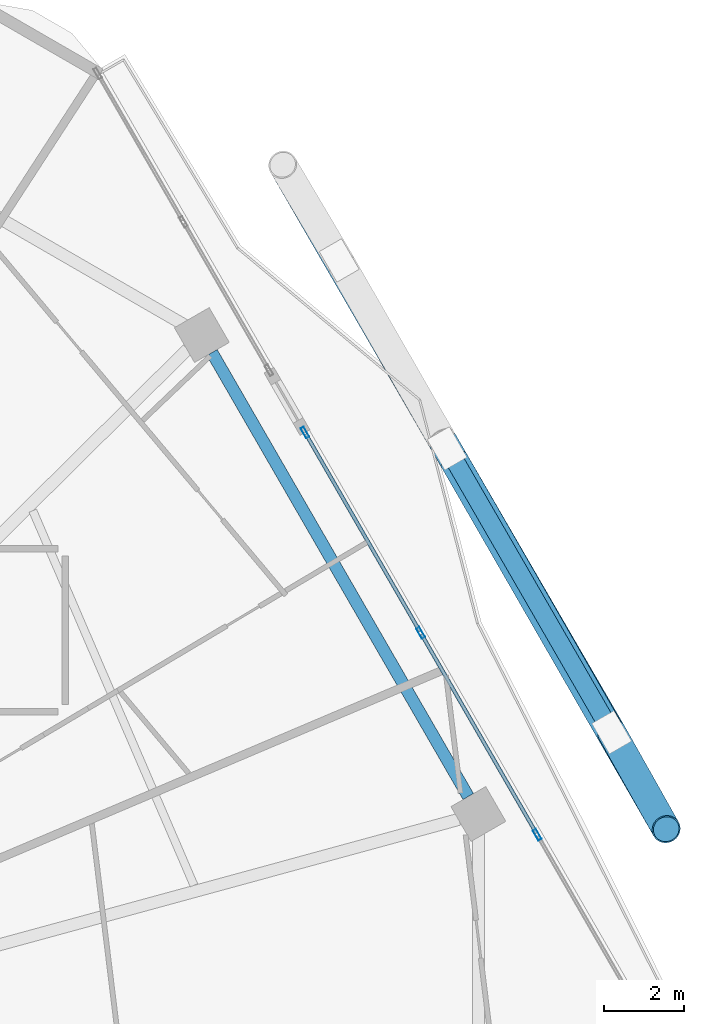
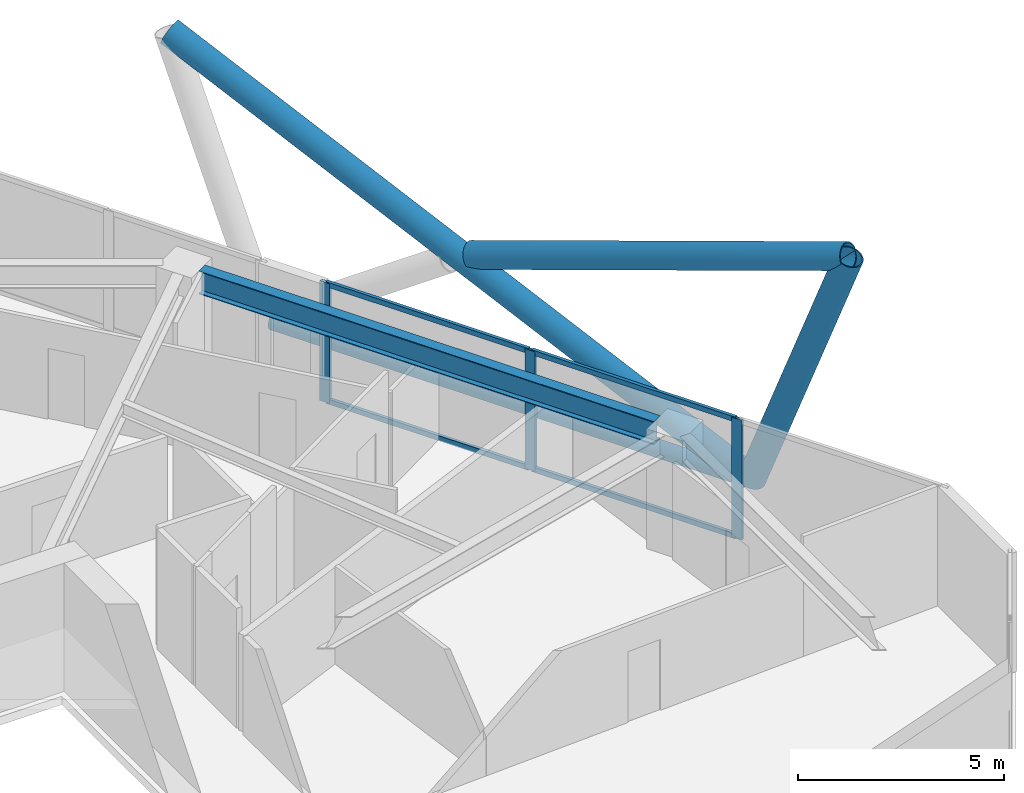
# One storey, part 16 of 28: 11 members, 1 beam, 1 element without a shape of its own.
"""IFC4 building model written with IfcOpenShell, lengths in metres."""

import ifcopenshell
import ifcopenshell.guid

model = None  # the IFC model being written
_history = None  # IfcOwnerHistory: only IFC2X3 demands one
_inside = {}  # id of a spatial element -> (the spatial element, [elements in it])
_under = {}  # id of a project, library or spatial element -> (it, [spatial elements below it])
_declared = {}  # id of a project -> (the project, [libraries it declares])
_typed = {}  # id of a type object -> (the type object, [elements of that type])
_made_of = {}  # id of a material, layer set ... -> (it, [elements and type objects made of it])


def new_model(schema):
    """Start an empty IFC model of exactly this schema.

    Asked for "IFC4X3", IfcOpenShell would pick the latest addendum, in which some entities
    have other attributes; the version numbers below select the first issue.
    IFC2X3 requires an IfcOwnerHistory on every rooted entity: one is made here for all.
    """
    global model, _history
    if schema == "IFC4X3":
        model = ifcopenshell.file(schema_version=(4, 3, 0, 0))
    else:
        model = ifcopenshell.file(schema=schema)
    _inside.clear()
    _under.clear()
    _declared.clear()
    _typed.clear()
    _made_of.clear()
    _history = None
    if model.schema == "IFC2X3":
        org = make("IfcOrganization", Name="unknown")
        user = make(
            "IfcPersonAndOrganization",
            ThePerson=make("IfcPerson", FamilyName="unknown"),
            TheOrganization=org,
        )
        app = make(
            "IfcApplication",
            ApplicationDeveloper=org,
            Version="unknown",
            ApplicationFullName="unknown",
            ApplicationIdentifier="unknown",
        )
        _history = make(
            "IfcOwnerHistory",
            OwningUser=user,
            OwningApplication=app,
            ChangeAction="ADDED",
            CreationDate=0,
        )
    return model


def make(cls, **values):
    """One entity of the class cls with the attributes given. An attribute that is None is left unset."""
    return model.create_entity(
        cls, **{name: value for name, value in values.items() if value is not None}
    )


def rooted(cls, **values):
    """An entity with a GlobalId (a new one), such as an element, a storey or a relation."""
    return make(cls, GlobalId=ifcopenshell.guid.new(), OwnerHistory=_history, **values)


def si_unit(unit_type, name, prefix=None):
    """IfcSIUnit, for example si_unit("LENGTHUNIT", "METRE", prefix="MILLI")."""
    return make("IfcSIUnit", UnitType=unit_type, Prefix=prefix, Name=name)


def assignment(units):
    """IfcUnitAssignment: the units of a project."""
    return None if units is None else make("IfcUnitAssignment", Units=units)


def point(xyz):
    """IfcCartesianPoint."""
    return None if xyz is None else make("IfcCartesianPoint", Coordinates=xyz)


def direction(xyz):
    """IfcDirection."""
    return None if xyz is None else make("IfcDirection", DirectionRatios=xyz)


def frame(location, z_axis=None, x_axis=None):
    """IfcAxis2Placement3D, a coordinate frame: its origin and axes. An axis left out is left unset."""
    return make(
        "IfcAxis2Placement3D",
        Location=point(location),
        Axis=direction(z_axis),
        RefDirection=direction(x_axis),
    )


def frame_2d(location, x_axis=None):
    """IfcAxis2Placement2D, a coordinate frame in the plane: its origin and x axis."""
    return make(
        "IfcAxis2Placement2D", Location=point(location), RefDirection=direction(x_axis)
    )


def origin():
    """The frame at (0, 0, 0) with its axes left unset."""
    return frame((0.0, 0.0, 0.0))


def origin_2d():
    """The frame at (0, 0) in the plane with its x axis left unset."""
    return frame_2d((0.0, 0.0))


def place(relative_to, where):
    """IfcLocalPlacement: puts the frame where relative to a parent placement (None: the world)."""
    return make(
        "IfcLocalPlacement", PlacementRelTo=relative_to, RelativePlacement=where
    )


def context(
    kind, dimensions, precision=None, world=None, true_north=None, identifier=None
):
    """IfcGeometricRepresentationContext, for example the 3D "Model" context."""
    return make(
        "IfcGeometricRepresentationContext",
        ContextIdentifier=identifier,
        ContextType=kind,
        CoordinateSpaceDimension=dimensions,
        Precision=precision,
        WorldCoordinateSystem=world,
        TrueNorth=true_north,
    )


def subcontext(parent, identifier, kind, view, scale=None):
    """IfcGeometricRepresentationSubContext, for example "Body" below "Model"."""
    return make(
        "IfcGeometricRepresentationSubContext",
        ContextIdentifier=identifier,
        ContextType=kind,
        ParentContext=parent,
        TargetScale=scale,
        TargetView=view,
    )


def project(units=None, contexts=None):
    """IfcProject with its units and contexts."""
    return rooted(
        "IfcProject",
        Name="project",
        RepresentationContexts=contexts,
        UnitsInContext=assignment(units),
    )


def spatial(cls, under=None, at=None, **own):
    """A site, building, storey or space (cls), placed at a placement, below another one or the project."""
    s = rooted(cls, ObjectPlacement=at, **own)
    if under is not None:
        _under.setdefault(under.id(), (under, []))[1].append(s)
    return s


def profile(cls, at=None, kind="AREA", **sizes):
    """A parametric profile (cls). Its sizes go by their IFC names, for example OverallWidth=200.0."""
    return make(cls, ProfileType=kind, Position=at, **sizes)


def hollow_rectangle(**sizes):
    """IfcRectangleHollowProfileDef."""
    return profile("IfcRectangleHollowProfileDef", **sizes)


def hollow_circle(**sizes):
    """IfcCircleHollowProfileDef."""
    return profile("IfcCircleHollowProfileDef", **sizes)


def i_section(**sizes):
    """IfcIShapeProfileDef."""
    return profile("IfcIShapeProfileDef", **sizes)


def extrude(swept, where, along, depth):
    """IfcExtrudedAreaSolid: the profile swept, set in the frame where, extruded along a direction by depth."""
    return make(
        "IfcExtrudedAreaSolid",
        SweptArea=swept,
        Position=where,
        ExtrudedDirection=direction(along),
        Depth=depth,
    )


def shape(context_of_items, identifier, shape_type, items):
    """IfcShapeRepresentation: the items that make up one representation, for example the "Body"."""
    return make(
        "IfcShapeRepresentation",
        ContextOfItems=context_of_items,
        RepresentationIdentifier=identifier,
        RepresentationType=shape_type,
        Items=items,
    )


def material(Name=None, Category=None):
    """IfcMaterial."""
    return make("IfcMaterial", Name=Name, Category=Category)


def material_profile(
    of_material, cross_section, Name=None, Category=None, Priority=None
):
    """IfcMaterialProfile: a cross section and its material."""
    return make(
        "IfcMaterialProfile",
        Name=Name,
        Material=of_material,
        Profile=cross_section,
        Priority=Priority,
        Category=Category,
    )


def profile_set(profiles, Name=None, composite=None):
    """IfcMaterialProfileSet."""
    return make(
        "IfcMaterialProfileSet",
        Name=Name,
        MaterialProfiles=profiles,
        CompositeProfile=composite,
    )


def made_of(thing, what):
    """Note that an element or type object is made of a material, layer set ...; save() writes the relation."""
    if what is not None:
        _made_of.setdefault(what.id(), (what, []))[1].append(thing)
    return thing


def type_object(cls, material=None, **own):
    """A type object (cls), such as IfcWallType, which elements share."""
    return made_of(rooted(cls, **own), material)


def element(
    cls,
    number,
    at=None,
    inside=None,
    cuts=None,
    type_object=None,
    material=None,
    context=None,
    identifier="Body",
    shape_type=None,
    held_by="IfcProductDefinitionShape",
    body=None,
    shapes=None,
    **own,
):
    """One element of the class cls, such as IfcWall. Its Tag is "e" and its number.

    at: its placement. inside: the storey or other place that contains it. cuts: it is an
    opening in that element (IfcRelVoidsElement). A single representation is given by context,
    identifier, shape_type and body (its items); several are given by shapes. held_by: the class
    of the entity that holds the representations. save() writes the other relations.
    """
    e = rooted(cls, Tag="e%d" % number, ObjectPlacement=at, **own)
    if body is not None:
        shapes = [shape(context, identifier, shape_type, body)]
    if shapes is not None:
        e.Representation = make(held_by, Representations=shapes)
    if inside is not None:
        _inside.setdefault(inside.id(), (inside, []))[1].append(e)
    if cuts is not None:
        rooted(
            "IfcRelVoidsElement", RelatingBuildingElement=cuts, RelatedOpeningElement=e
        )
    if type_object is not None:
        _typed.setdefault(type_object.id(), (type_object, []))[1].append(e)
    return made_of(e, material)


def aggregate(whole, parts):
    """IfcRelAggregates: a whole, such as a stair, and the parts it consists of."""
    return rooted("IfcRelAggregates", RelatingObject=whole, RelatedObjects=parts)


def save(model, path):
    """Write the relations noted so far, then the file.

    IfcRelAggregates (storeys below a building ...), IfcRelContainedInSpatialStructure (elements
    in a storey), IfcRelDefinesByType, IfcRelAssociatesMaterial and IfcRelDeclares: one each for
    every whole, place, type object, material and project.
    """
    for whole, parts in _under.values():
        aggregate(whole, parts)
    for where, things in _inside.values():
        rooted(
            "IfcRelContainedInSpatialStructure",
            RelatedElements=things,
            RelatingStructure=where,
        )
    for kind, things in _typed.values():
        rooted("IfcRelDefinesByType", RelatedObjects=things, RelatingType=kind)
    for what, things in _made_of.values():
        rooted("IfcRelAssociatesMaterial", RelatedObjects=things, RelatingMaterial=what)
    for by, libraries in _declared.values():
        rooted("IfcRelDeclares", RelatingContext=by, RelatedDefinitions=libraries)
    model.write(path)


model = new_model("IFC4")

# Units and contexts
model_context = context("Model", 3, precision=1e-05, world=origin(), true_north=direction((0.0, 1.0)))
body_context = subcontext(model_context, "Body", "Model", "MODEL_VIEW")
ifc_project = project(units=[si_unit("LENGTHUNIT", "METRE"), si_unit("AREAUNIT", "SQUARE_METRE"), si_unit("VOLUMEUNIT", "CUBIC_METRE"), si_unit("PLANEANGLEUNIT", "RADIAN"), si_unit("MASSUNIT", "GRAM", prefix="KILO")], contexts=[model_context])

# Site, building, storey
site_placement = place(None, origin())
site = spatial("IfcSite", under=ifc_project, at=site_placement, CompositionType="ELEMENT")
building_placement = place(site_placement, origin())
building = spatial("IfcBuilding", under=site, at=building_placement, Name="Zuhravey Tower", CompositionType="ELEMENT")
storey_placement = place(building_placement, frame((0.0, 0.0, 169.39990234375)))
storey = spatial("IfcBuildingStorey", under=building, at=storey_placement, Name="L42", CompositionType="ELEMENT", Elevation=169.39990234375)

# Curtain wall, members
ifc_material_1 = material(Name="Thermally broken anodised aluminium", Category="aluminium")
curtain_wall_type = type_object("IfcCurtainWallType", Name="Zone 1-2 Residential Curtain Wall CW3", PredefinedType="NOTDEFINED", material=ifc_material_1)
curtain_wall_placement = place(storey_placement, origin())
curtain_wall = element("IfcCurtainWall", 1, at=curtain_wall_placement, inside=storey, type_object=curtain_wall_type, Name="L42 CW3 CW-L42-F1-2", PredefinedType="NOTDEFINED")
ifc_material_2 = material(Name="Anodised aluminium", Category="aluminium")
ifc_material_profile_1 = material_profile(ifc_material_2, hollow_rectangle(XDim=0.090087890625, YDim=0.284912109375, WallThickness=0.0048828125, at=origin_2d()), Name="ALU-RHS-90x285x5")
ifc_profile_set_1 = profile_set([ifc_material_profile_1], Name="Anodised aluminium")
member_type_1 = type_object("IfcMemberType", Name="Curtain-Wall Mullion 90x180", PredefinedType="MULLION", material=ifc_profile_set_1)
member_1_placement = place(storey_placement, frame((57.79248046875, 48.62060546875, 0.0), z_axis=(0.0, 0.0, 1.0), x_axis=(0.866025982439, 0.499998997739, 0.0)))
member_1 = element("IfcMember", 2, at=member_1_placement, type_object=member_type_1, Name="CW3 mullion 1", PredefinedType="MULLION", context=body_context, shape_type="SweptSolid", body=[
    extrude(hollow_rectangle(XDim=0.090087890625, YDim=0.284912109375, WallThickness=0.0048828125, at=origin_2d()), origin(), (0.0, 0.0, 1.0), 3.550048828125),
])
member_2_placement = place(storey_placement, frame((60.670654296875, 43.635498046875, 0.0), z_axis=(0.0, 0.0, 1.0), x_axis=(0.866025982439, 0.499998997739, 0.0)))
member_2 = element("IfcMember", 3, at=member_2_placement, type_object=member_type_1, Name="CW3 mullion 2", PredefinedType="MULLION", context=body_context, shape_type="SweptSolid", body=[
    extrude(hollow_rectangle(XDim=0.090087890625, YDim=0.284912109375, WallThickness=0.0048828125, at=origin_2d()), origin(), (0.0, 0.0, 1.0), 3.550048828125),
])
member_3_placement = place(storey_placement, frame((63.5712890625, 38.611572265625, 0.0), z_axis=(0.0, 0.0, 1.0), x_axis=(0.866025982439, 0.499998997739, 0.0)))
member_3 = element("IfcMember", 4, at=member_3_placement, type_object=member_type_1, Name="CW3 mullion 3", PredefinedType="MULLION", context=body_context, shape_type="SweptSolid", body=[
    extrude(hollow_rectangle(XDim=0.090087890625, YDim=0.284912109375, WallThickness=0.0048828125, at=origin_2d()), origin(), (0.0, 0.0, 1.0), 3.550048828125),
])
ifc_material_profile_2 = material_profile(ifc_material_2, hollow_rectangle(XDim=0.090087890625, YDim=0.14990234375, WallThickness=0.0048828125, at=origin_2d()), Name="ALU-RHS-90x150x5")
ifc_profile_set_2 = profile_set([ifc_material_profile_2], Name="Anodised aluminium")
member_type_2 = type_object("IfcMemberType", Name="Curtain-Wall Transom 90x150", PredefinedType="USERDEFINED", material=ifc_profile_set_2)
member_4_placement = place(storey_placement, frame((57.81494140625, 48.58154296875, 0.045166015625), z_axis=(0.500027045798, -0.866009788323, 0.0), x_axis=(0.866009788323, 0.500027045798, 0.0)))
member_4 = element("IfcMember", 5, at=member_4_placement, type_object=member_type_2, Name="CW3 transom 1.1", ObjectType="TRANSOM", PredefinedType="USERDEFINED", context=body_context, shape_type="SweptSolid", body=[
    extrude(hollow_rectangle(XDim=0.090087890625, YDim=0.14990234375, WallThickness=0.0048828125, at=origin_2d()), origin(), (0.0, 0.0, 1.0), 5.666259765625),
])
member_5_placement = place(storey_placement, frame((57.81494140625, 48.58154296875, 3.505126953125), z_axis=(0.500027045798, -0.866009788323, 0.0), x_axis=(0.866009788323, 0.500027045798, 0.0)))
member_5 = element("IfcMember", 6, at=member_5_placement, type_object=member_type_2, Name="CW3 transom 1.2", ObjectType="TRANSOM", PredefinedType="USERDEFINED", context=body_context, shape_type="SweptSolid", body=[
    extrude(hollow_rectangle(XDim=0.090087890625, YDim=0.14990234375, WallThickness=0.0048828125, at=origin_2d()), origin(), (0.0, 0.0, 1.0), 5.666259765625),
])
member_6_placement = place(storey_placement, frame((60.693115234375, 43.596435546875, 0.045166015625), z_axis=(0.49998271563, -0.86603538269, 0.0), x_axis=(0.86603538269, 0.49998271563, 0.0)))
member_6 = element("IfcMember", 7, at=member_6_placement, type_object=member_type_2, Name="CW3 transom 2.1", ObjectType="TRANSOM", PredefinedType="USERDEFINED", context=body_context, shape_type="SweptSolid", body=[
    extrude(hollow_rectangle(XDim=0.090087890625, YDim=0.14990234375, WallThickness=0.0048828125, at=origin_2d()), origin(), (0.0, 0.0, 1.0), 5.711181640625),
])
member_7_placement = place(storey_placement, frame((60.693115234375, 43.596435546875, 3.505126953125), z_axis=(0.49998271563, -0.86603538269, 0.0), x_axis=(0.86603538269, 0.49998271563, 0.0)))
member_7 = element("IfcMember", 8, at=member_7_placement, type_object=member_type_2, Name="CW3 transom 2.2", ObjectType="TRANSOM", PredefinedType="USERDEFINED", context=body_context, shape_type="SweptSolid", body=[
    extrude(hollow_rectangle(XDim=0.090087890625, YDim=0.14990234375, WallThickness=0.0048828125, at=origin_2d()), origin(), (0.0, 0.0, 1.0), 5.711181640625),
])
aggregate(curtain_wall, [member_1, member_2, member_3, member_4, member_5, member_6, member_7])

# Members
ifc_material_3 = material(Name="Steel SM355", Category="steel")
ifc_material_profile_3 = material_profile(ifc_material_3, hollow_circle(Radius=0.228515625, WallThickness=0.02197265625, at=origin_2d()), Name="CHS-457.2x22")
ifc_profile_set_3 = profile_set([ifc_material_profile_3], Name="Steel SM355")
member_type_3 = type_object("IfcMemberType", Name="Exoskeleton Ring Tie CHS457x22", PredefinedType="CHORD", material=ifc_profile_set_3)
member_8_placement = place(storey_placement, frame((65.35595703125, 41.2802734375, -0.4638671875), z_axis=(-0.499996131841, 0.866027637056, 0.0), x_axis=(-0.866027637056, -0.499996131841, 0.0)))
element("IfcMember", 9, at=member_8_placement, inside=storey, type_object=member_type_3, Name="L42 Exoskeleton Face 1 Tie EXR1", PredefinedType="CHORD", context=body_context, shape_type="SweptSolid", body=[
    extrude(hollow_circle(Radius=0.228515625, WallThickness=0.02197265625, at=origin_2d()), origin(), (0.0, 0.0, 1.0), 13.28173828125),
])
ifc_material_4 = material(Name="Steel SM460", Category="steel")
ifc_material_profile_4 = material_profile(ifc_material_4, hollow_circle(Radius=0.355712890625, WallThickness=0.031982421875, at=origin_2d()), Name="CHS-711.2x32")
ifc_profile_set_4 = profile_set([ifc_material_profile_4], Name="Steel SM460")
member_type_4 = type_object("IfcMemberType", Name="Exoskeleton Zone 2 Diagrid CHS711x32", PredefinedType="BRACE", material=ifc_profile_set_4)
member_9_placement = place(storey_placement, frame((65.429443359375, 41.15283203125, -0.44384765625), z_axis=(0.168210915407, -0.298805683816, 0.939372264471), x_axis=(0.871410102193, 0.490555230118, 0.0)))
element("IfcMember", 10, at=member_9_placement, inside=storey, type_object=member_type_4, Name="L42 Face 1 Diagrid Brace 1", PredefinedType="BRACE", context=body_context, shape_type="SweptSolid", body=[
    extrude(hollow_circle(Radius=0.355712890625, WallThickness=0.031982421875, at=origin_2d()), origin(), (0.0, 0.0, 1.0), 8.048095703125),
])
member_10_placement = place(storey_placement, frame((65.404296875, 41.1962890625, -0.44384765625), z_axis=(-0.454774771515, 0.784375801066, 0.421822841837), x_axis=(-0.865109294799, -0.501583400894, 0.0)))
element("IfcMember", 11, at=member_10_placement, inside=storey, type_object=member_type_4, Name="L42 Face 1 Diagrid Brace 2", PredefinedType="BRACE", context=body_context, shape_type="SweptSolid", body=[
    extrude(hollow_circle(Radius=0.355712890625, WallThickness=0.031982421875, at=origin_2d()), origin(), (0.0, 0.0, 1.0), 17.92236328125),
])
member_11_placement = place(storey_placement, frame((61.49169921875, 47.9423828125, 3.449462890625), z_axis=(0.471210444517, -0.818738510574, 0.328067017974), x_axis=(0.866706878628, 0.498817788915, 0.0)))
element("IfcMember", 12, at=member_11_placement, inside=storey, type_object=member_type_4, Name="L42 Face 1 Split Diagrid Brace 3B", PredefinedType="BRACE", context=body_context, shape_type="SweptSolid", body=[
    extrude(hollow_circle(Radius=0.355712890625, WallThickness=0.031982421875, at=origin_2d()), origin(), (0.0, 0.0, 1.0), 11.190185546875),
])

# Beam
ifc_material_profile_5 = material_profile(ifc_material_3, i_section(OverallWidth=0.300048828125, OverallDepth=0.679931640625, WebThickness=0.012939453125, FlangeThickness=0.02197265625, at=origin_2d()), Name="H-680x300x13x22")
ifc_profile_set_5 = profile_set([ifc_material_profile_5], Name="Steel SM355")
beam_type = type_object("IfcBeamType", Name="Perimeter Ring Beam H680x300", PredefinedType="BEAM", material=ifc_profile_set_5)
beam_placement = place(storey_placement, frame((61.856201171875, 39.56201171875, 3.210205078125), z_axis=(-0.499997974489, 0.866026573211, 0.0), x_axis=(-0.866026573211, -0.499997974489, 0.0)))
element("IfcBeam", 13, at=beam_placement, inside=storey, type_object=beam_type, Name="L42 PB2 BM-L42-PB-01", PredefinedType="BEAM", context=body_context, shape_type="SweptSolid", body=[
    extrude(i_section(OverallWidth=0.300048828125, OverallDepth=0.679931640625, WebThickness=0.012939453125, FlangeThickness=0.02197265625, at=origin_2d()), origin(), (0.0, 0.0, 1.0), 12.75830078125),
])

save(model, "model.ifc")
